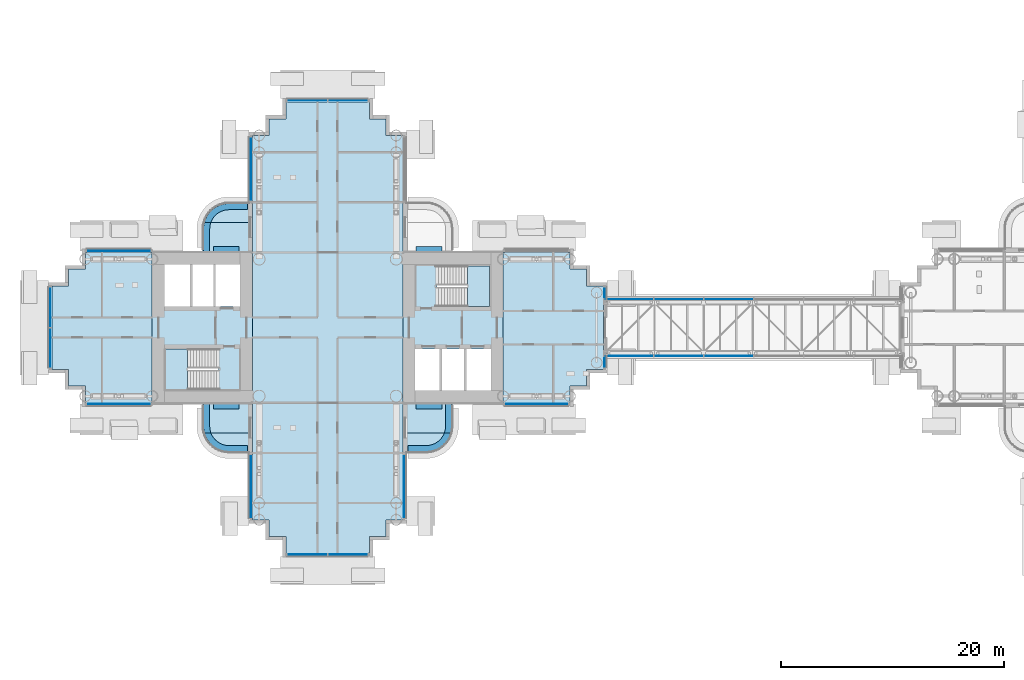
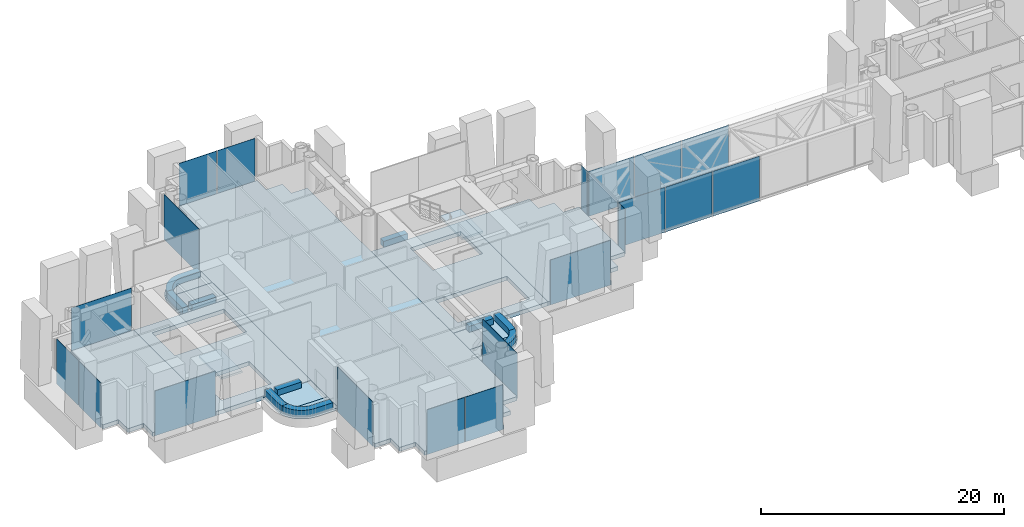
# One storey, part 10 of 27: 23 slabs, 20 plates, 15 elements without a shape of their own.
"""IFC4 building model written with IfcOpenShell, lengths in metres."""

from ifc_helpers import new_model, si_unit, direction, frame, origin, origin_2d, place, context, subcontext, project, spatial, polyline, rectangle, outline, extrude, material, layer, layer_set, type_object, element, aggregate, save


model = new_model("IFC4")

# Units and contexts
model_context = context("Model", 3, precision=1e-05, world=origin(), true_north=direction((0.0, 1.0)))
body_context = subcontext(model_context, "Body", "Model", "MODEL_VIEW")
ifc_project = project(units=[si_unit("LENGTHUNIT", "METRE"), si_unit("AREAUNIT", "SQUARE_METRE"), si_unit("VOLUMEUNIT", "CUBIC_METRE"), si_unit("PLANEANGLEUNIT", "RADIAN"), si_unit("MASSUNIT", "GRAM", prefix="KILO")], contexts=[model_context])

# Site, building, storey
site_placement = place(None, origin())
site = spatial("IfcSite", under=ifc_project, at=site_placement, CompositionType="ELEMENT")
building_placement = place(site_placement, origin())
building = spatial("IfcBuilding", under=site, at=building_placement, Name="Ipe Terrace Towers", CompositionType="ELEMENT")
storey_placement = place(building_placement, frame((0.0, 0.0, 72.10009765625)))
storey = spatial("IfcBuildingStorey", under=building, at=storey_placement, Name="L19", CompositionType="ELEMENT", Elevation=72.10009765625)

# Slabs
ifc_material_1 = material(Name="Concrete C30/37", Category="concrete")
ifc_layer_1 = layer(ifc_material_1, 0.199951171875)
ifc_layer_set_1 = layer_set([ifc_layer_1], Name="BALCONY SLAB 200")
slab_type_1 = type_object("IfcSlabType", Name="BALCONY SLAB 200", PredefinedType="FLOOR", material=ifc_layer_set_1)
slab_1_placement = place(storey_placement, frame((0.0, 0.0, -0.22021484375)))
element("IfcSlab", 1, at=slab_1_placement, inside=storey, type_object=slab_type_1, Name="balcony slab", PredefinedType="FLOOR", context=body_context, shape_type="SweptSolid", body=[
    extrude(outline(polyline([(-47.22900390625, -9.1630859375), (-47.172119140625, -9.449951171875), (-42.75, -9.449951171875), (-42.75, -6.75), (-47.25, -6.75), (-47.25, -8.85009765625), (-47.22900390625, -9.1630859375)])), origin(), (0.0, 0.0, 1.0), 0.2001953125),
])
slab_2_placement = place(storey_placement, frame((0.0, 0.0, -0.22021484375)))
element("IfcSlab", 2, at=slab_2_placement, inside=storey, type_object=slab_type_1, Name="balcony slab", PredefinedType="FLOOR", context=body_context, shape_type="SweptSolid", body=[
    extrude(outline(polyline([(-42.75, -11.25), (-42.75, -9.449951171875), (-47.172119140625, -9.449951171875), (-47.16796875, -9.470947265625), (-47.06689453125, -9.76806640625), (-46.927978515625, -10.050048828125), (-46.75390625, -10.31103515625), (-46.547119140625, -10.547119140625), (-46.31103515625, -10.75390625), (-46.050048828125, -10.927978515625), (-45.76806640625, -11.06689453125), (-45.470947265625, -11.16796875), (-45.1630859375, -11.22900390625), (-44.85009765625, -11.25), (-42.75, -11.25)])), origin(), (0.0, 0.0, 1.0), 0.2001953125),
])
slab_3_placement = place(storey_placement, frame((0.0, 0.0, -0.22021484375)))
element("IfcSlab", 3, at=slab_3_placement, inside=storey, type_object=slab_type_1, Name="balcony slab", PredefinedType="FLOOR", context=body_context, shape_type="SweptSolid", body=[
    extrude(outline(polyline([(-47.22900390625, 9.1630859375), (-47.25, 8.85009765625), (-47.25, 6.75), (-42.75, 6.75), (-42.75, 9.449951171875), (-47.172119140625, 9.449951171875), (-47.22900390625, 9.1630859375)])), origin(), (0.0, 0.0, 1.0), 0.2001953125),
])
slab_4_placement = place(storey_placement, frame((0.0, 0.0, -0.22021484375)))
element("IfcSlab", 4, at=slab_4_placement, inside=storey, type_object=slab_type_1, Name="balcony slab", PredefinedType="FLOOR", context=body_context, shape_type="SweptSolid", body=[
    extrude(outline(polyline([(-42.75, 11.25), (-44.85009765625, 11.25), (-45.1630859375, 11.22900390625), (-45.470947265625, 11.16796875), (-45.76806640625, 11.06689453125), (-46.050048828125, 10.927978515625), (-46.31103515625, 10.75390625), (-46.547119140625, 10.547119140625), (-46.75390625, 10.31103515625), (-46.927978515625, 10.050048828125), (-47.06689453125, 9.76806640625), (-47.16796875, 9.470947265625), (-47.172119140625, 9.449951171875), (-42.75, 9.449951171875), (-42.75, 11.25)])), origin(), (0.0, 0.0, 1.0), 0.2001953125),
])
slab_5_placement = place(storey_placement, frame((0.0, 0.0, -0.22021484375)))
element("IfcSlab", 5, at=slab_5_placement, inside=storey, type_object=slab_type_1, Name="balcony slab", PredefinedType="FLOOR", context=body_context, shape_type="SweptSolid", body=[
    extrude(outline(polyline([(-24.77099609375, -9.1630859375), (-24.75, -8.85009765625), (-24.75, -6.75), (-29.25, -6.75), (-29.25, -9.449951171875), (-24.827880859375, -9.449951171875), (-24.77099609375, -9.1630859375)])), origin(), (0.0, 0.0, 1.0), 0.2001953125),
])
slab_6_placement = place(storey_placement, frame((0.0, 0.0, -0.22021484375)))
element("IfcSlab", 6, at=slab_6_placement, inside=storey, type_object=slab_type_1, Name="balcony slab", PredefinedType="FLOOR", context=body_context, shape_type="SweptSolid", body=[
    extrude(outline(polyline([(-29.25, -11.25), (-27.14990234375, -11.25), (-26.8369140625, -11.22900390625), (-26.529052734375, -11.16796875), (-26.23193359375, -11.06689453125), (-25.949951171875, -10.927978515625), (-25.68896484375, -10.75390625), (-25.452880859375, -10.547119140625), (-25.24609375, -10.31103515625), (-25.072021484375, -10.050048828125), (-24.93310546875, -9.76806640625), (-24.83203125, -9.470947265625), (-24.827880859375, -9.449951171875), (-29.25, -9.449951171875), (-29.25, -11.25)])), origin(), (0.0, 0.0, 1.0), 0.2001953125),
])

# Curtain wall, plates
ifc_material_2 = material(Name="Aluminium alloy 6063-T6", Category="aluminium")
ifc_layer_2 = layer(ifc_material_2, 0.300048828125)
ifc_layer_set_2 = layer_set([ifc_layer_2], Name="BRIDGE ENCLOSURE CURTAIN WALL")
curtain_wall_type_1 = type_object("IfcCurtainWallType", Name="BRIDGE ENCLOSURE CURTAIN WALL", PredefinedType="NOTDEFINED", material=ifc_layer_set_2)
curtain_wall_1_placement = place(storey_placement, origin())
curtain_wall_1 = element("IfcCurtainWall", 7, at=curtain_wall_1_placement, inside=storey, type_object=curtain_wall_type_1, Name="BR1-CW1 curtain wall", PredefinedType="NOTDEFINED")
ifc_material_3 = material(Name="Glass, clear laminated", Category="glass")
ifc_layer_3 = layer(ifc_material_3, 0.035888671875)
ifc_layer_set_3 = layer_set([ifc_layer_3], Name="BRIDGE ENCLOSURE GLASS PANEL 36")
plate_type_1 = type_object("IfcPlateType", Name="BRIDGE ENCLOSURE GLASS PANEL 36", PredefinedType="CURTAIN_PANEL", material=ifc_layer_set_3)
plate_1_placement = place(storey_placement, frame((0.005859375, 2.544921875, -0.300048828125), z_axis=(0.0, 0.0, 1.0), x_axis=(-1.0, 0.0, 0.0)))
plate_1 = element("IfcPlate", 8, at=plate_1_placement, type_object=plate_type_1, Name="BR1-CW1 panel 4", PredefinedType="CURTAIN_PANEL", context=body_context, shape_type="SweptSolid", body=[
    extrude(rectangle(XDim=4.418212890625, YDim=0.035888671875, at=origin_2d()), origin(), (0.0, 0.0, 1.0), 4.5),
])
plate_2_placement = place(storey_placement, frame((-4.482421875, 2.544921875, -0.300048828125), z_axis=(0.0, 0.0, 1.0), x_axis=(-1.0, 0.0, 0.0)))
plate_2 = element("IfcPlate", 9, at=plate_2_placement, type_object=plate_type_1, Name="BR1-CW1 panel 5", PredefinedType="CURTAIN_PANEL", context=body_context, shape_type="SweptSolid", body=[
    extrude(rectangle(XDim=4.418212890625, YDim=0.035888671875, at=origin_2d()), origin(), (0.0, 0.0, 1.0), 4.5),
])
plate_3_placement = place(storey_placement, frame((-8.970947265625, 2.544921875, -0.300048828125), z_axis=(0.0, 0.0, 1.0), x_axis=(-1.0, 0.0, 0.0)))
plate_3 = element("IfcPlate", 10, at=plate_3_placement, type_object=plate_type_1, Name="BR1-CW1 panel 6", PredefinedType="CURTAIN_PANEL", context=body_context, shape_type="SweptSolid", body=[
    extrude(rectangle(XDim=4.418212890625, YDim=0.035888671875, at=origin_2d()), origin(), (0.0, 0.0, 1.0), 4.5),
])
aggregate(curtain_wall_1, [plate_1, plate_2, plate_3])

curtain_wall_2_placement = place(storey_placement, origin())
curtain_wall_2 = element("IfcCurtainWall", 11, at=curtain_wall_2_placement, inside=storey, type_object=curtain_wall_type_1, Name="BR1-CW2 curtain wall", PredefinedType="NOTDEFINED")
plate_4_placement = place(storey_placement, frame((-8.970947265625, -2.544921875, -0.300048828125), z_axis=(0.0, 0.0, 1.0), x_axis=(1.0, 0.0, 0.0)))
plate_4 = element("IfcPlate", 12, at=plate_4_placement, type_object=plate_type_1, Name="BR1-CW2 panel 1", PredefinedType="CURTAIN_PANEL", context=body_context, shape_type="SweptSolid", body=[
    extrude(rectangle(XDim=4.418212890625, YDim=0.035888671875, at=origin_2d()), origin(), (0.0, 0.0, 1.0), 4.5),
])
plate_5_placement = place(storey_placement, frame((-4.482421875, -2.544921875, -0.300048828125), z_axis=(0.0, 0.0, 1.0), x_axis=(1.0, 0.0, 0.0)))
plate_5 = element("IfcPlate", 13, at=plate_5_placement, type_object=plate_type_1, Name="BR1-CW2 panel 2", PredefinedType="CURTAIN_PANEL", context=body_context, shape_type="SweptSolid", body=[
    extrude(rectangle(XDim=4.418212890625, YDim=0.035888671875, at=origin_2d()), origin(), (0.0, 0.0, 1.0), 4.5),
])
plate_6_placement = place(storey_placement, frame((0.005859375, -2.544921875, -0.300048828125), z_axis=(0.0, 0.0, 1.0), x_axis=(1.0, 0.0, 0.0)))
plate_6 = element("IfcPlate", 14, at=plate_6_placement, type_object=plate_type_1, Name="BR1-CW2 panel 3", PredefinedType="CURTAIN_PANEL", context=body_context, shape_type="SweptSolid", body=[
    extrude(rectangle(XDim=4.418212890625, YDim=0.035888671875, at=origin_2d()), origin(), (0.0, 0.0, 1.0), 4.5),
])
aggregate(curtain_wall_2, [plate_4, plate_5, plate_6])

# Slabs
ifc_material_4 = material(Name="Concrete C30/37", Category="concrete")
ifc_layer_4 = layer(ifc_material_4, 0.39990234375)
ifc_layer_set_4 = layer_set([ifc_layer_4], Name="CORE FLOOR SLAB 400 C30-37")
slab_type_2 = type_object("IfcSlabType", Name="CORE FLOOR SLAB 400 C30-37", PredefinedType="FLOOR", material=ifc_layer_set_4)
slab_7_placement = place(storey_placement, frame((0.0, 0.0, -0.400146484375)))
element("IfcSlab", 15, at=slab_7_placement, inside=storey, type_object=slab_type_2, Name="Core floor T1-C1", PredefinedType="FLOOR", context=body_context, shape_type="SweptSolid", body=[
    extrude(outline(polyline([(-29.25, -6.75), (-29.25, 6.75), (-20.25, 6.75), (-20.25, -6.75), (-29.25, -6.75)]), holes=[polyline([(-28.14990234375, -5.64990234375), (-21.35009765625, -5.64990234375), (-21.35009765625, -1.89990234375), (-28.14990234375, -1.89990234375), (-28.14990234375, -5.64990234375)]), polyline([(-26.199951171875, 5.550048828125), (-26.199951171875, 1.89990234375), (-21.449951171875, 1.89990234375), (-21.449951171875, 5.550048828125), (-26.199951171875, 5.550048828125)])]), origin(), (0.0, 0.0, 1.0), 0.400146484375),
])
slab_8_placement = place(storey_placement, frame((0.0, 0.0, -0.400146484375)))
element("IfcSlab", 16, at=slab_8_placement, inside=storey, type_object=slab_type_2, Name="Core floor T1-C2", PredefinedType="FLOOR", context=body_context, shape_type="SweptSolid", body=[
    extrude(outline(polyline([(-51.75, -6.75), (-51.75, 6.75), (-42.75, 6.75), (-42.75, -6.75), (-51.75, -6.75)]), holes=[polyline([(-45.800048828125, -5.550048828125), (-45.800048828125, -1.89990234375), (-50.550048828125, -1.89990234375), (-50.550048828125, -5.550048828125), (-45.800048828125, -5.550048828125)]), polyline([(-50.64990234375, 1.89990234375), (-43.85009765625, 1.89990234375), (-43.85009765625, 5.64990234375), (-50.64990234375, 5.64990234375), (-50.64990234375, 1.89990234375)])]), origin(), (0.0, 0.0, 1.0), 0.400146484375),
])

# Stair, slab
ifc_material_5 = material(Name="Concrete C30/37", Category="concrete")
stair_type = type_object("IfcStairType", Name="Protected exit stair", PredefinedType="HALF_TURN_STAIR", material=ifc_material_5)
stair_1_placement = place(storey_placement, origin())
stair_1 = element("IfcStair", 17, at=stair_1_placement, inside=storey, type_object=stair_type, Name="L19 Exit stair T1-C1", PredefinedType="HALF_TURN_STAIR")
ifc_material_6 = material(Name="Concrete C30/37", Category="concrete")
ifc_layer_5 = layer(ifc_material_6, 0.199951171875)
ifc_layer_set_5 = layer_set([ifc_layer_5], Name="Exit stair landing 200")
slab_type_3 = type_object("IfcSlabType", Name="Exit stair landing 200", PredefinedType="LANDING", material=ifc_layer_set_5)
slab_9_placement = place(storey_placement, frame((0.0, 0.0, 2.0498046875)))
slab_9 = element("IfcSlab", 18, at=slab_9_placement, type_object=slab_type_3, Name="T1-ST1 landing 1", PredefinedType="LANDING", context=body_context, shape_type="SweptSolid", body=[
    extrude(outline(polyline([(-23.43994140625, 1.89990234375), (-21.449951171875, 1.89990234375), (-21.449951171875, 5.550048828125), (-23.43994140625, 5.550048828125), (-23.43994140625, 1.89990234375)])), origin(), (0.0, 0.0, 1.0), 0.2001953125),
])
aggregate(stair_1, [slab_9])

stair_2_placement = place(storey_placement, origin())
stair_2 = element("IfcStair", 19, at=stair_2_placement, inside=storey, type_object=stair_type, Name="L19 Exit stair T1-C2", PredefinedType="HALF_TURN_STAIR")
slab_10_placement = place(storey_placement, frame((0.0, 0.0, 2.0498046875)))
slab_10 = element("IfcSlab", 20, at=slab_10_placement, type_object=slab_type_3, Name="T1-ST2 landing 1", PredefinedType="LANDING", context=body_context, shape_type="SweptSolid", body=[
    extrude(outline(polyline([(-48.56005859375, -1.89990234375), (-50.550048828125, -1.89990234375), (-50.550048828125, -5.550048828125), (-48.56005859375, -5.550048828125), (-48.56005859375, -1.89990234375)])), origin(), (0.0, 0.0, 1.0), 0.2001953125),
])
aggregate(stair_2, [slab_10])

# Slabs
ifc_material_7 = material(Name="Concrete C40/50", Category="concrete")
ifc_layer_6 = layer(ifc_material_7, 0.39990234375)
ifc_layer_set_6 = layer_set([ifc_layer_6], Name="FLAT PLATE SLAB 400 C40-50")
slab_type_4 = type_object("IfcSlabType", Name="FLAT PLATE SLAB 400 C40-50", PredefinedType="FLOOR", material=ifc_layer_set_6)
slab_11_placement = place(storey_placement, frame((0.0, 0.0, -0.400146484375)))
element("IfcSlab", 21, at=slab_11_placement, inside=storey, type_object=slab_type_4, Name="Slab T1-FS-Z11", PredefinedType="FLOOR", context=body_context, shape_type="SweptSolid", body=[
    extrude(outline(polyline([(-30.75, -17.25), (-30.75, -18.75), (-32.25, -18.75), (-32.25, -20.25), (-39.75, -20.25), (-39.75, -18.75), (-41.25, -18.75), (-41.25, -17.25), (-42.75, -17.25), (-42.75, -6.75), (-42.75, 6.75), (-42.75, 17.25), (-41.25, 17.25), (-41.25, 18.75), (-39.75, 18.75), (-39.75, 20.25), (-32.25, 20.25), (-32.25, 18.75), (-30.75, 18.75), (-30.75, 17.25), (-29.25, 17.25), (-29.25, 6.75), (-29.25, -6.75), (-29.25, -17.25), (-30.75, -17.25)])), origin(), (0.0, 0.0, 1.0), 0.400146484375),
])
slab_12_placement = place(storey_placement, frame((0.0, 0.0, -0.400146484375)))
element("IfcSlab", 22, at=slab_12_placement, inside=storey, type_object=slab_type_4, Name="Slab T1-FS-Z12", PredefinedType="FLOOR", context=body_context, shape_type="SweptSolid", body=[
    extrude(outline(polyline([(-57.75, -6.75), (-57.75, -5.25), (-59.25, -5.25), (-59.25, -3.75), (-60.75, -3.75), (-60.75, 3.75), (-59.25, 3.75), (-59.25, 5.25), (-57.75, 5.25), (-57.75, 6.75), (-51.75, 6.75), (-51.75, -6.75), (-57.75, -6.75)])), origin(), (0.0, 0.0, 1.0), 0.400146484375),
])
slab_13_placement = place(storey_placement, frame((0.0, 0.0, -0.400146484375)))
element("IfcSlab", 23, at=slab_13_placement, inside=storey, type_object=slab_type_4, Name="Slab T1-FS-Z13", PredefinedType="FLOOR", context=body_context, shape_type="SweptSolid", body=[
    extrude(outline(polyline([(-14.25, 5.25), (-12.75, 5.25), (-12.75, 3.75), (-11.25, 3.75), (-11.25, -3.75), (-12.75, -3.75), (-12.75, -5.25), (-14.25, -5.25), (-14.25, -6.75), (-20.25, -6.75), (-20.25, 6.75), (-14.25, 6.75), (-14.25, 5.25)])), origin(), (0.0, 0.0, 1.0), 0.400146484375),
])
ifc_material_8 = material(Name="Concrete C30/37", Category="concrete")
ifc_layer_7 = layer(ifc_material_8, 0.60009765625)
ifc_layer_set_7 = layer_set([ifc_layer_7], Name="PLANTER TROUGH 550 x 600")
slab_type_5 = type_object("IfcSlabType", Name="PLANTER TROUGH 550 x 600", PredefinedType="USERDEFINED", material=ifc_layer_set_7)
slab_14_placement = place(storey_placement, frame((0.0, 0.0, -0.02001953125)))
element("IfcSlab", 24, at=slab_14_placement, inside=storey, type_object=slab_type_5, Name="planter", ObjectType="PLANTER", PredefinedType="USERDEFINED", context=body_context, shape_type="SweptSolid", body=[
    extrude(outline(polyline([(-46.529052734375, -9.300048828125), (-46.573974609375, -9.076904296875), (-46.590087890625, -8.827880859375), (-46.590087890625, -6.75), (-47.139892578125, -6.75), (-47.139892578125, -8.8369140625), (-47.138916015625, -8.85498046875), (-47.12109375, -9.131103515625), (-47.116943359375, -9.1669921875), (-47.06494140625, -9.425048828125), (-47.05908203125, -9.449951171875), (-46.47802734375, -9.449951171875), (-46.529052734375, -9.300048828125)])), origin(), (0.0, 0.0, 1.0), 0.599853515625),
])
slab_15_placement = place(storey_placement, frame((0.0, 0.0, -0.02001953125)))
element("IfcSlab", 25, at=slab_15_placement, inside=storey, type_object=slab_type_5, Name="planter", ObjectType="PLANTER", PredefinedType="USERDEFINED", context=body_context, shape_type="SweptSolid", body=[
    extrude(outline(polyline([(-46.4560546875, -9.514892578125), (-46.47802734375, -9.449951171875), (-47.05908203125, -9.449951171875), (-47.055908203125, -9.4599609375), (-46.970947265625, -9.708984375), (-46.95703125, -9.741943359375), (-46.841064453125, -9.97900390625), (-46.822998046875, -10.010009765625), (-46.677001953125, -10.22900390625), (-46.655029296875, -10.257080078125), (-46.48095703125, -10.4560546875), (-46.4560546875, -10.48095703125), (-46.257080078125, -10.655029296875), (-46.22900390625, -10.677001953125), (-46.010009765625, -10.822998046875), (-45.97900390625, -10.841064453125), (-45.741943359375, -10.95703125), (-45.708984375, -10.970947265625), (-45.4599609375, -11.055908203125), (-45.425048828125, -11.06494140625), (-45.1669921875, -11.116943359375), (-45.131103515625, -11.12109375), (-44.85498046875, -11.138916015625), (-44.8369140625, -11.139892578125), (-43.199951171875, -11.139892578125), (-43.199951171875, -10.590087890625), (-44.827880859375, -10.590087890625), (-45.076904296875, -10.573974609375), (-45.300048828125, -10.529052734375), (-45.514892578125, -10.4560546875), (-45.718994140625, -10.35595703125), (-45.907958984375, -10.22900390625), (-46.0791015625, -10.0791015625), (-46.22900390625, -9.907958984375), (-46.35595703125, -9.718994140625), (-46.4560546875, -9.514892578125)])), origin(), (0.0, 0.0, 1.0), 0.599853515625),
])
slab_16_placement = place(storey_placement, frame((0.0, 0.0, -0.02001953125)))
element("IfcSlab", 26, at=slab_16_placement, inside=storey, type_object=slab_type_5, Name="planter", ObjectType="PLANTER", PredefinedType="USERDEFINED", context=body_context, shape_type="SweptSolid", body=[
    extrude(outline(polyline([(-43.949951171875, -6.75), (-46.25, -6.75), (-46.25, -7.300048828125), (-43.949951171875, -7.300048828125), (-43.949951171875, -6.75)])), origin(), (0.0, 0.0, 1.0), 0.599853515625),
])
slab_17_placement = place(storey_placement, frame((0.0, 0.0, -0.02001953125)))
element("IfcSlab", 27, at=slab_17_placement, inside=storey, type_object=slab_type_5, Name="planter", ObjectType="PLANTER", PredefinedType="USERDEFINED", context=body_context, shape_type="SweptSolid", body=[
    extrude(outline(polyline([(-46.529052734375, 9.300048828125), (-46.47802734375, 9.449951171875), (-47.05908203125, 9.449951171875), (-47.06494140625, 9.425048828125), (-47.116943359375, 9.1669921875), (-47.12109375, 9.131103515625), (-47.138916015625, 8.85498046875), (-47.139892578125, 8.8369140625), (-47.139892578125, 6.75), (-46.590087890625, 6.75), (-46.590087890625, 8.827880859375), (-46.573974609375, 9.076904296875), (-46.529052734375, 9.300048828125)])), origin(), (0.0, 0.0, 1.0), 0.599853515625),
])
slab_18_placement = place(storey_placement, frame((0.0, 0.0, -0.02001953125)))
element("IfcSlab", 28, at=slab_18_placement, inside=storey, type_object=slab_type_5, Name="planter", ObjectType="PLANTER", PredefinedType="USERDEFINED", context=body_context, shape_type="SweptSolid", body=[
    extrude(outline(polyline([(-46.4560546875, 9.514892578125), (-46.35595703125, 9.718994140625), (-46.22900390625, 9.907958984375), (-46.0791015625, 10.0791015625), (-45.907958984375, 10.22900390625), (-45.718994140625, 10.35595703125), (-45.514892578125, 10.4560546875), (-45.300048828125, 10.529052734375), (-45.076904296875, 10.573974609375), (-44.827880859375, 10.590087890625), (-43.199951171875, 10.590087890625), (-43.199951171875, 11.139892578125), (-44.8369140625, 11.139892578125), (-44.85498046875, 11.138916015625), (-45.131103515625, 11.12109375), (-45.1669921875, 11.116943359375), (-45.425048828125, 11.06494140625), (-45.4599609375, 11.055908203125), (-45.708984375, 10.970947265625), (-45.741943359375, 10.95703125), (-45.97900390625, 10.841064453125), (-46.010009765625, 10.822998046875), (-46.22900390625, 10.677001953125), (-46.257080078125, 10.655029296875), (-46.4560546875, 10.48095703125), (-46.48095703125, 10.4560546875), (-46.655029296875, 10.257080078125), (-46.677001953125, 10.22900390625), (-46.822998046875, 10.010009765625), (-46.841064453125, 9.97900390625), (-46.95703125, 9.741943359375), (-46.970947265625, 9.708984375), (-47.055908203125, 9.4599609375), (-47.05908203125, 9.449951171875), (-46.47802734375, 9.449951171875), (-46.4560546875, 9.514892578125)])), origin(), (0.0, 0.0, 1.0), 0.599853515625),
])
slab_19_placement = place(storey_placement, frame((0.0, 0.0, -0.02001953125)))
element("IfcSlab", 29, at=slab_19_placement, inside=storey, type_object=slab_type_5, Name="planter", ObjectType="PLANTER", PredefinedType="USERDEFINED", context=body_context, shape_type="SweptSolid", body=[
    extrude(outline(polyline([(-43.949951171875, 6.75), (-43.949951171875, 7.300048828125), (-46.25, 7.300048828125), (-46.25, 6.75), (-43.949951171875, 6.75)])), origin(), (0.0, 0.0, 1.0), 0.599853515625),
])
slab_20_placement = place(storey_placement, frame((0.0, 0.0, -0.02001953125)))
element("IfcSlab", 30, at=slab_20_placement, inside=storey, type_object=slab_type_5, Name="planter", ObjectType="PLANTER", PredefinedType="USERDEFINED", context=body_context, shape_type="SweptSolid", body=[
    extrude(outline(polyline([(-25.470947265625, -9.300048828125), (-25.52197265625, -9.449951171875), (-24.94091796875, -9.449951171875), (-24.93505859375, -9.425048828125), (-24.883056640625, -9.1669921875), (-24.87890625, -9.131103515625), (-24.861083984375, -8.85498046875), (-24.860107421875, -8.8369140625), (-24.860107421875, -6.75), (-25.409912109375, -6.75), (-25.409912109375, -8.827880859375), (-25.426025390625, -9.076904296875), (-25.470947265625, -9.300048828125)])), origin(), (0.0, 0.0, 1.0), 0.599853515625),
])
slab_21_placement = place(storey_placement, frame((0.0, 0.0, -0.02001953125)))
element("IfcSlab", 31, at=slab_21_placement, inside=storey, type_object=slab_type_5, Name="planter", ObjectType="PLANTER", PredefinedType="USERDEFINED", context=body_context, shape_type="SweptSolid", body=[
    extrude(outline(polyline([(-25.5439453125, -9.514892578125), (-25.64404296875, -9.718994140625), (-25.77099609375, -9.907958984375), (-25.9208984375, -10.0791015625), (-26.092041015625, -10.22900390625), (-26.281005859375, -10.35595703125), (-26.485107421875, -10.4560546875), (-26.699951171875, -10.529052734375), (-26.923095703125, -10.573974609375), (-27.172119140625, -10.590087890625), (-28.800048828125, -10.590087890625), (-28.800048828125, -11.139892578125), (-27.1630859375, -11.139892578125), (-27.14501953125, -11.138916015625), (-26.868896484375, -11.12109375), (-26.8330078125, -11.116943359375), (-26.574951171875, -11.06494140625), (-26.5400390625, -11.055908203125), (-26.291015625, -10.970947265625), (-26.258056640625, -10.95703125), (-26.02099609375, -10.841064453125), (-25.989990234375, -10.822998046875), (-25.77099609375, -10.677001953125), (-25.742919921875, -10.655029296875), (-25.5439453125, -10.48095703125), (-25.51904296875, -10.4560546875), (-25.344970703125, -10.257080078125), (-25.322998046875, -10.22900390625), (-25.177001953125, -10.010009765625), (-25.158935546875, -9.97900390625), (-25.04296875, -9.741943359375), (-25.029052734375, -9.708984375), (-24.944091796875, -9.4599609375), (-24.94091796875, -9.449951171875), (-25.52197265625, -9.449951171875), (-25.5439453125, -9.514892578125)])), origin(), (0.0, 0.0, 1.0), 0.599853515625),
])
slab_22_placement = place(storey_placement, frame((0.0, 0.0, -0.02001953125)))
element("IfcSlab", 32, at=slab_22_placement, inside=storey, type_object=slab_type_5, Name="planter", ObjectType="PLANTER", PredefinedType="USERDEFINED", context=body_context, shape_type="SweptSolid", body=[
    extrude(outline(polyline([(-28.050048828125, -6.75), (-28.050048828125, -7.300048828125), (-25.75, -7.300048828125), (-25.75, -6.75), (-28.050048828125, -6.75)])), origin(), (0.0, 0.0, 1.0), 0.599853515625),
])
slab_23_placement = place(storey_placement, frame((0.0, 0.0, -0.02001953125)))
element("IfcSlab", 33, at=slab_23_placement, inside=storey, type_object=slab_type_5, Name="planter", ObjectType="PLANTER", PredefinedType="USERDEFINED", context=body_context, shape_type="SweptSolid", body=[
    extrude(outline(polyline([(-28.050048828125, 6.75), (-25.75, 6.75), (-25.75, 7.300048828125), (-28.050048828125, 7.300048828125), (-28.050048828125, 6.75)])), origin(), (0.0, 0.0, 1.0), 0.599853515625),
])

# Curtain wall, plates
ifc_material_9 = material(Name="Aluminium alloy 6063-T6", Category="aluminium")
ifc_layer_8 = layer(ifc_material_9, 0.320068359375)
ifc_layer_set_8 = layer_set([ifc_layer_8], Name="REFUGE FLOOR CURTAIN WALL")
curtain_wall_type_2 = type_object("IfcCurtainWallType", Name="REFUGE FLOOR CURTAIN WALL", PredefinedType="NOTDEFINED", material=ifc_layer_set_8)
curtain_wall_3_placement = place(storey_placement, origin())
curtain_wall_3 = element("IfcCurtainWall", 34, at=curtain_wall_3_placement, inside=storey, type_object=curtain_wall_type_2, Name="T1-CW-L19-12a curtain wall", PredefinedType="NOTDEFINED")
ifc_material_10 = material(Name="Glass, clear laminated", Category="glass")
ifc_layer_9 = layer(ifc_material_10, 0.035888671875)
ifc_layer_set_9 = layer_set([ifc_layer_9], Name="REFUGE FLOOR GLASS PANEL 36")
plate_type_2 = type_object("IfcPlateType", Name="REFUGE FLOOR GLASS PANEL 36", PredefinedType="CURTAIN_PANEL", material=ifc_layer_set_9)
plate_7_placement = place(storey_placement, frame((-37.82373046875, -20.3701171875, -0.300048828125), z_axis=(0.0, 0.0, 1.0), x_axis=(1.0, 0.0, 0.0)))
plate_7 = element("IfcPlate", 35, at=plate_7_placement, type_object=plate_type_2, Name="T1-CW-L19-12a panel 1", PredefinedType="CURTAIN_PANEL", context=body_context, shape_type="SweptSolid", body=[
    extrude(rectangle(XDim=3.572509765625, YDim=0.035888671875, at=origin_2d()), origin(), (0.0, 0.0, 1.0), 4.5),
])
plate_8_placement = place(storey_placement, frame((-34.17626953125, -20.3701171875, -0.300048828125), z_axis=(0.0, 0.0, 1.0), x_axis=(1.0, 0.0, 0.0)))
plate_8 = element("IfcPlate", 36, at=plate_8_placement, type_object=plate_type_2, Name="T1-CW-L19-12a panel 2", PredefinedType="CURTAIN_PANEL", context=body_context, shape_type="SweptSolid", body=[
    extrude(rectangle(XDim=3.572509765625, YDim=0.035888671875, at=origin_2d()), origin(), (0.0, 0.0, 1.0), 4.5),
])
aggregate(curtain_wall_3, [plate_7, plate_8])

# Curtain wall, plate
curtain_wall_4_placement = place(storey_placement, origin())
curtain_wall_4 = element("IfcCurtainWall", 37, at=curtain_wall_4_placement, inside=storey, type_object=curtain_wall_type_2, Name="T1-CW-L19-25a curtain wall", PredefinedType="NOTDEFINED")
plate_9_placement = place(storey_placement, frame((-11.1298828125, -3.0, -0.300048828125), z_axis=(0.0, 0.0, 1.0), x_axis=(0.0, 1.0, 0.0)))
plate_9 = element("IfcPlate", 38, at=plate_9_placement, type_object=plate_type_2, Name="T1-CW-L19-25a panel 1", PredefinedType="CURTAIN_PANEL", context=body_context, shape_type="SweptSolid", body=[
    extrude(rectangle(XDim=1.219970703125, YDim=0.035888671875, at=origin_2d()), origin(), (0.0, 0.0, 1.0), 4.5),
])
aggregate(curtain_wall_4, [plate_9])

curtain_wall_5_placement = place(storey_placement, origin())
curtain_wall_5 = element("IfcCurtainWall", 39, at=curtain_wall_5_placement, inside=storey, type_object=curtain_wall_type_2, Name="T1-CW-L19-25c curtain wall", PredefinedType="NOTDEFINED")
plate_10_placement = place(storey_placement, frame((-11.1298828125, 3.0, -0.300048828125), z_axis=(0.0, 0.0, 1.0), x_axis=(0.0, 1.0, 0.0)))
plate_10 = element("IfcPlate", 40, at=plate_10_placement, type_object=plate_type_2, Name="T1-CW-L19-25c panel 1", PredefinedType="CURTAIN_PANEL", context=body_context, shape_type="SweptSolid", body=[
    extrude(rectangle(XDim=1.219970703125, YDim=0.035888671875, at=origin_2d()), origin(), (0.0, 0.0, 1.0), 4.5),
])
aggregate(curtain_wall_5, [plate_10])

# Curtain wall, plates
curtain_wall_6_placement = place(storey_placement, origin())
curtain_wall_6 = element("IfcCurtainWall", 41, at=curtain_wall_6_placement, inside=storey, type_object=curtain_wall_type_2, Name="T1-CW-L19-38a curtain wall", PredefinedType="NOTDEFINED")
plate_11_placement = place(storey_placement, frame((-34.17626953125, 20.3701171875, -0.300048828125), z_axis=(0.0, 0.0, 1.0), x_axis=(-1.0, 0.0, 0.0)))
plate_11 = element("IfcPlate", 42, at=plate_11_placement, type_object=plate_type_2, Name="T1-CW-L19-38a panel 1", PredefinedType="CURTAIN_PANEL", context=body_context, shape_type="SweptSolid", body=[
    extrude(rectangle(XDim=3.572509765625, YDim=0.035888671875, at=origin_2d()), origin(), (0.0, 0.0, 1.0), 4.5),
])
plate_12_placement = place(storey_placement, frame((-37.82373046875, 20.3701171875, -0.300048828125), z_axis=(0.0, 0.0, 1.0), x_axis=(-1.0, 0.0, 0.0)))
plate_12 = element("IfcPlate", 43, at=plate_12_placement, type_object=plate_type_2, Name="T1-CW-L19-38a panel 2", PredefinedType="CURTAIN_PANEL", context=body_context, shape_type="SweptSolid", body=[
    extrude(rectangle(XDim=3.572509765625, YDim=0.035888671875, at=origin_2d()), origin(), (0.0, 0.0, 1.0), 4.5),
])
aggregate(curtain_wall_6, [plate_11, plate_12])

curtain_wall_7_placement = place(storey_placement, origin())
curtain_wall_7 = element("IfcCurtainWall", 44, at=curtain_wall_7_placement, inside=storey, type_object=curtain_wall_type_2, Name="T1-CW-L19-51a curtain wall", PredefinedType="NOTDEFINED")
plate_13_placement = place(storey_placement, frame((-60.8701171875, 1.82373046875, -0.300048828125), z_axis=(0.0, 0.0, 1.0), x_axis=(0.0, -1.0, 0.0)))
plate_13 = element("IfcPlate", 45, at=plate_13_placement, type_object=plate_type_2, Name="T1-CW-L19-51a panel 1", PredefinedType="CURTAIN_PANEL", context=body_context, shape_type="SweptSolid", body=[
    extrude(rectangle(XDim=3.572509765625, YDim=0.035888671875, at=origin_2d()), origin(), (0.0, 0.0, 1.0), 4.5),
])
plate_14_placement = place(storey_placement, frame((-60.8701171875, -1.82373046875, -0.300048828125), z_axis=(0.0, 0.0, 1.0), x_axis=(0.0, -1.0, 0.0)))
plate_14 = element("IfcPlate", 46, at=plate_14_placement, type_object=plate_type_2, Name="T1-CW-L19-51a panel 2", PredefinedType="CURTAIN_PANEL", context=body_context, shape_type="SweptSolid", body=[
    extrude(rectangle(XDim=3.572509765625, YDim=0.035888671875, at=origin_2d()), origin(), (0.0, 0.0, 1.0), 4.5),
])
aggregate(curtain_wall_7, [plate_13, plate_14])

# Curtain wall, plate
curtain_wall_8_placement = place(storey_placement, origin())
curtain_wall_8 = element("IfcCurtainWall", 47, at=curtain_wall_8_placement, inside=storey, type_object=curtain_wall_type_2, Name="T1-CW-L19-04a curtain wall", PredefinedType="NOTDEFINED")
ifc_material_11 = material(Name="Insulated spandrel panel, stone-effect cladding", Category="masonry")
ifc_layer_10 = layer(ifc_material_11, 0.035888671875)
ifc_layer_set_10 = layer_set([ifc_layer_10], Name="REFUGE FLOOR SPANDREL PANEL 36")
plate_type_3 = type_object("IfcPlateType", Name="REFUGE FLOOR SPANDREL PANEL 36", PredefinedType="CURTAIN_PANEL", material=ifc_layer_set_10)
plate_15_placement = place(storey_placement, frame((-54.75048828125, -6.8701171875, -0.300048828125), z_axis=(0.0, 0.0, 1.0), x_axis=(1.0, 0.0, 0.0)))
plate_15 = element("IfcPlate", 48, at=plate_15_placement, type_object=plate_type_3, Name="T1-CW-L19-04a panel 1", PredefinedType="CURTAIN_PANEL", context=body_context, shape_type="SweptSolid", body=[
    extrude(rectangle(XDim=5.718994140625, YDim=0.035888671875, at=origin_2d()), origin(), (0.0, 0.0, 1.0), 4.5),
])
aggregate(curtain_wall_8, [plate_15])

curtain_wall_9_placement = place(storey_placement, origin())
curtain_wall_9 = element("IfcCurtainWall", 49, at=curtain_wall_9_placement, inside=storey, type_object=curtain_wall_type_2, Name="T1-CW-L19-07a curtain wall", PredefinedType="NOTDEFINED")
plate_16_placement = place(storey_placement, frame((-42.8701171875, -14.25, -0.300048828125), z_axis=(0.0, 0.0, 1.0), x_axis=(0.0, -1.0, 0.0)))
plate_16 = element("IfcPlate", 50, at=plate_16_placement, type_object=plate_type_3, Name="T1-CW-L19-07a panel 1", PredefinedType="CURTAIN_PANEL", context=body_context, shape_type="SweptSolid", body=[
    extrude(rectangle(XDim=5.719970703125, YDim=0.035888671875, at=origin_2d()), origin(), (0.0, 0.0, 1.0), 4.5),
])
aggregate(curtain_wall_9, [plate_16])

curtain_wall_10_placement = place(storey_placement, origin())
curtain_wall_10 = element("IfcCurtainWall", 51, at=curtain_wall_10_placement, inside=storey, type_object=curtain_wall_type_2, Name="T1-CW-L19-17a curtain wall", PredefinedType="NOTDEFINED")
plate_17_placement = place(storey_placement, frame((-29.1298828125, -14.25, -0.300048828125), z_axis=(0.0, 0.0, 1.0), x_axis=(0.0, 1.0, 0.0)))
plate_17 = element("IfcPlate", 52, at=plate_17_placement, type_object=plate_type_3, Name="T1-CW-L19-17a panel 1", PredefinedType="CURTAIN_PANEL", context=body_context, shape_type="SweptSolid", body=[
    extrude(rectangle(XDim=5.719970703125, YDim=0.035888671875, at=origin_2d()), origin(), (0.0, 0.0, 1.0), 4.5),
])
aggregate(curtain_wall_10, [plate_17])

curtain_wall_11_placement = place(storey_placement, origin())
curtain_wall_11 = element("IfcCurtainWall", 53, at=curtain_wall_11_placement, inside=storey, type_object=curtain_wall_type_2, Name="T1-CW-L19-20b curtain wall", PredefinedType="NOTDEFINED")
plate_18_placement = place(storey_placement, frame((-17.24951171875, -6.8701171875, -0.300048828125), z_axis=(0.0, 0.0, 1.0), x_axis=(1.0, 0.0, 0.0)))
plate_18 = element("IfcPlate", 54, at=plate_18_placement, type_object=plate_type_3, Name="T1-CW-L19-20b panel 1", PredefinedType="CURTAIN_PANEL", context=body_context, shape_type="SweptSolid", body=[
    extrude(rectangle(XDim=5.718994140625, YDim=0.035888671875, at=origin_2d()), origin(), (0.0, 0.0, 1.0), 4.5),
])
aggregate(curtain_wall_11, [plate_18])

curtain_wall_12_placement = place(storey_placement, origin())
curtain_wall_12 = element("IfcCurtainWall", 55, at=curtain_wall_12_placement, inside=storey, type_object=curtain_wall_type_2, Name="T1-CW-L19-43a curtain wall", PredefinedType="NOTDEFINED")
plate_19_placement = place(storey_placement, frame((-42.8701171875, 14.25, -0.300048828125), z_axis=(0.0, 0.0, 1.0), x_axis=(0.0, -1.0, 0.0)))
plate_19 = element("IfcPlate", 56, at=plate_19_placement, type_object=plate_type_3, Name="T1-CW-L19-43a panel 1", PredefinedType="CURTAIN_PANEL", context=body_context, shape_type="SweptSolid", body=[
    extrude(rectangle(XDim=5.719970703125, YDim=0.035888671875, at=origin_2d()), origin(), (0.0, 0.0, 1.0), 4.5),
])
aggregate(curtain_wall_12, [plate_19])

curtain_wall_13_placement = place(storey_placement, origin())
curtain_wall_13 = element("IfcCurtainWall", 57, at=curtain_wall_13_placement, inside=storey, type_object=curtain_wall_type_2, Name="T1-CW-L19-46b curtain wall", PredefinedType="NOTDEFINED")
plate_20_placement = place(storey_placement, frame((-54.75048828125, 6.8701171875, -0.300048828125), z_axis=(0.0, 0.0, 1.0), x_axis=(-1.0, 0.0, 0.0)))
plate_20 = element("IfcPlate", 58, at=plate_20_placement, type_object=plate_type_3, Name="T1-CW-L19-46b panel 1", PredefinedType="CURTAIN_PANEL", context=body_context, shape_type="SweptSolid", body=[
    extrude(rectangle(XDim=5.718994140625, YDim=0.035888671875, at=origin_2d()), origin(), (0.0, 0.0, 1.0), 4.5),
])
aggregate(curtain_wall_13, [plate_20])

save(model, "model.ifc")
